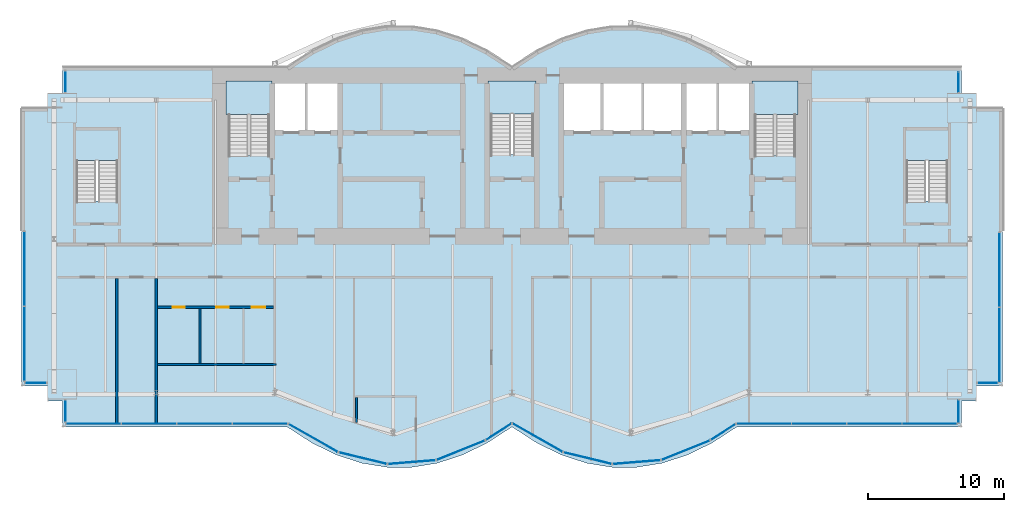
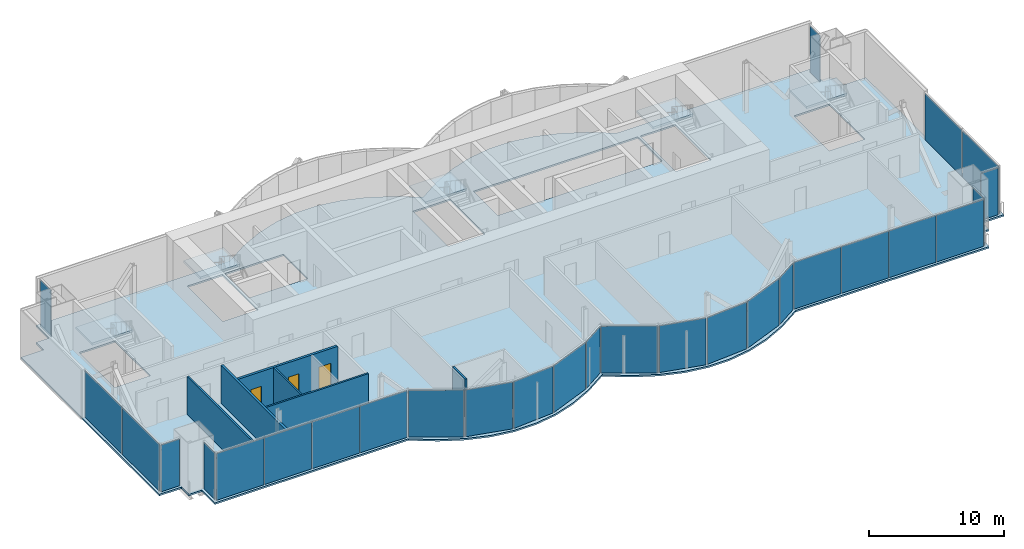
# One storey, part 11 of 18: 28 plates, 6 slabs, 6 walls, 3 doors, 3 openings, 17 elements without a shape of their own.
"""IFC4 building model written with IfcOpenShell, lengths in metres."""

import ifcopenshell
import ifcopenshell.guid

model = None  # the IFC model being written
_history = None  # IfcOwnerHistory: only IFC2X3 demands one
_inside = {}  # id of a spatial element -> (the spatial element, [elements in it])
_under = {}  # id of a project, library or spatial element -> (it, [spatial elements below it])
_declared = {}  # id of a project -> (the project, [libraries it declares])
_typed = {}  # id of a type object -> (the type object, [elements of that type])
_made_of = {}  # id of a material, layer set ... -> (it, [elements and type objects made of it])


def new_model(schema):
    """Start an empty IFC model of exactly this schema.

    Asked for "IFC4X3", IfcOpenShell would pick the latest addendum, in which some entities
    have other attributes; the version numbers below select the first issue.
    IFC2X3 requires an IfcOwnerHistory on every rooted entity: one is made here for all.
    """
    global model, _history
    if schema == "IFC4X3":
        model = ifcopenshell.file(schema_version=(4, 3, 0, 0))
    else:
        model = ifcopenshell.file(schema=schema)
    _inside.clear()
    _under.clear()
    _declared.clear()
    _typed.clear()
    _made_of.clear()
    _history = None
    if model.schema == "IFC2X3":
        org = make("IfcOrganization", Name="unknown")
        user = make(
            "IfcPersonAndOrganization",
            ThePerson=make("IfcPerson", FamilyName="unknown"),
            TheOrganization=org,
        )
        app = make(
            "IfcApplication",
            ApplicationDeveloper=org,
            Version="unknown",
            ApplicationFullName="unknown",
            ApplicationIdentifier="unknown",
        )
        _history = make(
            "IfcOwnerHistory",
            OwningUser=user,
            OwningApplication=app,
            ChangeAction="ADDED",
            CreationDate=0,
        )
    return model


def make(cls, **values):
    """One entity of the class cls with the attributes given. An attribute that is None is left unset."""
    return model.create_entity(
        cls, **{name: value for name, value in values.items() if value is not None}
    )


def rooted(cls, **values):
    """An entity with a GlobalId (a new one), such as an element, a storey or a relation."""
    return make(cls, GlobalId=ifcopenshell.guid.new(), OwnerHistory=_history, **values)


def si_unit(unit_type, name, prefix=None):
    """IfcSIUnit, for example si_unit("LENGTHUNIT", "METRE", prefix="MILLI")."""
    return make("IfcSIUnit", UnitType=unit_type, Prefix=prefix, Name=name)


def assignment(units):
    """IfcUnitAssignment: the units of a project."""
    return None if units is None else make("IfcUnitAssignment", Units=units)


def point(xyz):
    """IfcCartesianPoint."""
    return None if xyz is None else make("IfcCartesianPoint", Coordinates=xyz)


def direction(xyz):
    """IfcDirection."""
    return None if xyz is None else make("IfcDirection", DirectionRatios=xyz)


def frame(location, z_axis=None, x_axis=None):
    """IfcAxis2Placement3D, a coordinate frame: its origin and axes. An axis left out is left unset."""
    return make(
        "IfcAxis2Placement3D",
        Location=point(location),
        Axis=direction(z_axis),
        RefDirection=direction(x_axis),
    )


def frame_2d(location, x_axis=None):
    """IfcAxis2Placement2D, a coordinate frame in the plane: its origin and x axis."""
    return make(
        "IfcAxis2Placement2D", Location=point(location), RefDirection=direction(x_axis)
    )


def origin():
    """The frame at (0, 0, 0) with its axes left unset."""
    return frame((0.0, 0.0, 0.0))


def origin_2d():
    """The frame at (0, 0) in the plane with its x axis left unset."""
    return frame_2d((0.0, 0.0))


def place(relative_to, where):
    """IfcLocalPlacement: puts the frame where relative to a parent placement (None: the world)."""
    return make(
        "IfcLocalPlacement", PlacementRelTo=relative_to, RelativePlacement=where
    )


def context(
    kind, dimensions, precision=None, world=None, true_north=None, identifier=None
):
    """IfcGeometricRepresentationContext, for example the 3D "Model" context."""
    return make(
        "IfcGeometricRepresentationContext",
        ContextIdentifier=identifier,
        ContextType=kind,
        CoordinateSpaceDimension=dimensions,
        Precision=precision,
        WorldCoordinateSystem=world,
        TrueNorth=true_north,
    )


def subcontext(parent, identifier, kind, view, scale=None):
    """IfcGeometricRepresentationSubContext, for example "Body" below "Model"."""
    return make(
        "IfcGeometricRepresentationSubContext",
        ContextIdentifier=identifier,
        ContextType=kind,
        ParentContext=parent,
        TargetScale=scale,
        TargetView=view,
    )


def project(units=None, contexts=None):
    """IfcProject with its units and contexts."""
    return rooted(
        "IfcProject",
        Name="project",
        RepresentationContexts=contexts,
        UnitsInContext=assignment(units),
    )


def spatial(cls, under=None, at=None, **own):
    """A site, building, storey or space (cls), placed at a placement, below another one or the project."""
    s = rooted(cls, ObjectPlacement=at, **own)
    if under is not None:
        _under.setdefault(under.id(), (under, []))[1].append(s)
    return s


def polyline(points):
    """IfcPolyline through the points."""
    return make("IfcPolyline", Points=[point(p) for p in points])


def profile(cls, at=None, kind="AREA", **sizes):
    """A parametric profile (cls). Its sizes go by their IFC names, for example OverallWidth=200.0."""
    return make(cls, ProfileType=kind, Position=at, **sizes)


def rectangle(**sizes):
    """IfcRectangleProfileDef."""
    return profile("IfcRectangleProfileDef", **sizes)


def outline(outer, holes=None, kind="AREA"):
    """IfcArbitraryClosedProfileDef: a profile drawn as a closed curve; with holes, ...WithVoids."""
    if holes is None:
        return make("IfcArbitraryClosedProfileDef", ProfileType=kind, OuterCurve=outer)
    return make(
        "IfcArbitraryProfileDefWithVoids",
        ProfileType=kind,
        OuterCurve=outer,
        InnerCurves=holes,
    )


def extrude(swept, where, along, depth):
    """IfcExtrudedAreaSolid: the profile swept, set in the frame where, extruded along a direction by depth."""
    return make(
        "IfcExtrudedAreaSolid",
        SweptArea=swept,
        Position=where,
        ExtrudedDirection=direction(along),
        Depth=depth,
    )


def shape(context_of_items, identifier, shape_type, items):
    """IfcShapeRepresentation: the items that make up one representation, for example the "Body"."""
    return make(
        "IfcShapeRepresentation",
        ContextOfItems=context_of_items,
        RepresentationIdentifier=identifier,
        RepresentationType=shape_type,
        Items=items,
    )


def material(Name=None, Category=None):
    """IfcMaterial."""
    return make("IfcMaterial", Name=Name, Category=Category)


def layer(
    of_material, thickness, ventilated=None, Name=None, Category=None, Priority=None
):
    """IfcMaterialLayer: one layer of a wall or slab, of a material (None: an air gap)."""
    return make(
        "IfcMaterialLayer",
        Material=of_material,
        LayerThickness=thickness,
        IsVentilated=ventilated,
        Name=Name,
        Category=Category,
        Priority=Priority,
    )


def layer_set(layers, Name=None):
    """IfcMaterialLayerSet."""
    return make("IfcMaterialLayerSet", MaterialLayers=layers, LayerSetName=Name)


def made_of(thing, what):
    """Note that an element or type object is made of a material, layer set ...; save() writes the relation."""
    if what is not None:
        _made_of.setdefault(what.id(), (what, []))[1].append(thing)
    return thing


def type_object(cls, material=None, **own):
    """A type object (cls), such as IfcWallType, which elements share."""
    return made_of(rooted(cls, **own), material)


def element(
    cls,
    number,
    at=None,
    inside=None,
    cuts=None,
    type_object=None,
    material=None,
    context=None,
    identifier="Body",
    shape_type=None,
    held_by="IfcProductDefinitionShape",
    body=None,
    shapes=None,
    **own,
):
    """One element of the class cls, such as IfcWall. Its Tag is "e" and its number.

    at: its placement. inside: the storey or other place that contains it. cuts: it is an
    opening in that element (IfcRelVoidsElement). A single representation is given by context,
    identifier, shape_type and body (its items); several are given by shapes. held_by: the class
    of the entity that holds the representations. save() writes the other relations.
    """
    e = rooted(cls, Tag="e%d" % number, ObjectPlacement=at, **own)
    if body is not None:
        shapes = [shape(context, identifier, shape_type, body)]
    if shapes is not None:
        e.Representation = make(held_by, Representations=shapes)
    if inside is not None:
        _inside.setdefault(inside.id(), (inside, []))[1].append(e)
    if cuts is not None:
        rooted(
            "IfcRelVoidsElement", RelatingBuildingElement=cuts, RelatedOpeningElement=e
        )
    if type_object is not None:
        _typed.setdefault(type_object.id(), (type_object, []))[1].append(e)
    return made_of(e, material)


def fill(opening, filler):
    """IfcRelFillsElement: the door or window that sits in an opening."""
    return rooted(
        "IfcRelFillsElement",
        RelatingOpeningElement=opening,
        RelatedBuildingElement=filler,
    )


def aggregate(whole, parts):
    """IfcRelAggregates: a whole, such as a stair, and the parts it consists of."""
    return rooted("IfcRelAggregates", RelatingObject=whole, RelatedObjects=parts)


def save(model, path):
    """Write the relations noted so far, then the file.

    IfcRelAggregates (storeys below a building ...), IfcRelContainedInSpatialStructure (elements
    in a storey), IfcRelDefinesByType, IfcRelAssociatesMaterial and IfcRelDeclares: one each for
    every whole, place, type object, material and project.
    """
    for whole, parts in _under.values():
        aggregate(whole, parts)
    for where, things in _inside.values():
        rooted(
            "IfcRelContainedInSpatialStructure",
            RelatedElements=things,
            RelatingStructure=where,
        )
    for kind, things in _typed.values():
        rooted("IfcRelDefinesByType", RelatedObjects=things, RelatingType=kind)
    for what, things in _made_of.values():
        rooted("IfcRelAssociatesMaterial", RelatedObjects=things, RelatingMaterial=what)
    for by, libraries in _declared.values():
        rooted("IfcRelDeclares", RelatingContext=by, RelatedDefinitions=libraries)
    model.write(path)


model = new_model("IFC4")

# Units and contexts
model_context = context("Model", 3, precision=1e-05, world=origin(), true_north=direction((0.0, 1.0)))
body_context = subcontext(model_context, "Body", "Model", "MODEL_VIEW")
ifc_project = project(units=[si_unit("LENGTHUNIT", "METRE"), si_unit("AREAUNIT", "SQUARE_METRE"), si_unit("VOLUMEUNIT", "CUBIC_METRE"), si_unit("PLANEANGLEUNIT", "RADIAN"), si_unit("MASSUNIT", "GRAM", prefix="KILO")], contexts=[model_context])

# Site, building, storey
site_placement = place(None, origin())
site = spatial("IfcSite", under=ifc_project, at=site_placement, CompositionType="ELEMENT")
building_placement = place(site_placement, origin())
building = spatial("IfcBuilding", under=site, at=building_placement, Name="Bicima Exchange Tower", CompositionType="ELEMENT")
storey_placement = place(building_placement, frame((0.0, 0.0, 311.0)))
storey = spatial("IfcBuildingStorey", under=building, at=storey_placement, Name="L70", CompositionType="ELEMENT", Elevation=311.0)

# Slab
ifc_material_1 = material(Name="Concrete C40/50", Category="concrete")
ifc_layer_1 = layer(ifc_material_1, 0.14990234375)
ifc_layer_set_1 = layer_set([ifc_layer_1], Name="Concrete C40/50")
slab_type_1 = type_object("IfcSlabType", Name="Composite floor slab 150", PredefinedType="FLOOR", material=ifc_layer_set_1)
slab_1_placement = place(storey_placement, frame((0.0, 0.0, -0.14990234375)))
element("IfcSlab", 1, at=slab_1_placement, inside=storey, type_object=slab_type_1, Name="Floor slab", PredefinedType="FLOOR", context=body_context, shape_type="SweptSolid", body=[
    extrude(outline(polyline([(-36.0, -23.384033203125), (-36.0, -3.0), (-34.10009765625, -3.0), (-34.10009765625, -1.89990234375), (-33.0, -1.89990234375), (-33.0, 0.0), (-16.5, 0.0), (-14.666748046875, 1.185302734375), (-12.833251953125, 2.07421875), (-11.0, 2.666748046875), (-9.166748046875, 2.962890625), (-7.333251953125, 2.962890625), (-5.5, 2.666748046875), (-3.666748046875, 2.07421875), (-1.833251953125, 1.185302734375), (0.0, 0.0), (1.833251953125, 1.185302734375), (3.666748046875, 2.07421875), (5.5, 2.666748046875), (7.333251953125, 2.962890625), (9.166748046875, 2.962890625), (11.0, 2.666748046875), (12.833251953125, 2.07421875), (14.666748046875, 1.185302734375), (16.5, 0.0), (33.0, 0.0), (33.0, -1.89990234375), (34.10009765625, -1.89990234375), (34.10009765625, -3.0), (36.0, -3.0), (36.0, -23.384033203125), (34.10009765625, -23.384033203125), (34.10009765625, -24.48388671875), (33.0, -24.48388671875), (33.0, -26.384033203125), (16.5, -26.384033203125), (14.666748046875, -27.569091796875), (12.833251953125, -28.4580078125), (11.0, -29.05078125), (9.166748046875, -29.346923828125), (7.333251953125, -29.346923828125), (5.5, -29.05078125), (3.666748046875, -28.4580078125), (1.833251953125, -27.569091796875), (0.0, -26.384033203125), (-1.833251953125, -27.569091796875), (-3.666748046875, -28.4580078125), (-5.5, -29.05078125), (-7.333251953125, -29.346923828125), (-9.166748046875, -29.346923828125), (-11.0, -29.05078125), (-12.833251953125, -28.4580078125), (-14.666748046875, -27.569091796875), (-16.5, -26.384033203125), (-33.0, -26.384033203125), (-33.0, -24.48388671875), (-34.10009765625, -24.48388671875), (-34.10009765625, -23.384033203125), (-36.0, -23.384033203125)]), holes=[polyline([(-28.925048828125, -9.824951171875), (-28.925048828125, -4.625), (-31.97509765625, -4.625), (-31.97509765625, -9.824951171875), (-28.925048828125, -9.824951171875)]), polyline([(-20.800048828125, -6.449951171875), (-17.800048828125, -6.449951171875), (-17.800048828125, -1.199951171875), (-20.800048828125, -1.199951171875), (-20.800048828125, -6.449951171875)]), polyline([(-1.574951171875, -6.39990234375), (1.574951171875, -6.39990234375), (1.574951171875, -1.199951171875), (-1.574951171875, -1.199951171875), (-1.574951171875, -6.39990234375)]), polyline([(-12.60009765625, -1.199951171875), (-15.10009765625, -1.199951171875), (-17.60009765625, -1.199951171875), (-17.60009765625, -4.800048828125), (-15.10009765625, -4.800048828125), (-12.60009765625, -4.800048828125), (-12.60009765625, -1.199951171875)]), polyline([(3.60009765625, -4.800048828125), (6.60009765625, -4.800048828125), (9.60009765625, -4.800048828125), (12.60009765625, -4.800048828125), (15.10009765625, -4.800048828125), (17.60009765625, -4.800048828125), (17.60009765625, -1.199951171875), (15.10009765625, -1.199951171875), (12.60009765625, -1.199951171875), (9.60009765625, -1.199951171875), (6.60009765625, -1.199951171875), (3.60009765625, -1.199951171875), (3.60009765625, -4.800048828125)]), polyline([(31.97509765625, -9.824951171875), (31.97509765625, -4.625), (28.925048828125, -4.625), (28.925048828125, -9.824951171875), (31.97509765625, -9.824951171875)]), polyline([(17.800048828125, -6.449951171875), (20.800048828125, -6.449951171875), (20.800048828125, -1.199951171875), (17.800048828125, -1.199951171875), (17.800048828125, -6.449951171875)])]), origin(), (0.0, 0.0, 1.0), 0.14990234375),
])

# Curtain wall, plate
ifc_material_2 = material(Name="Anodised bronze aluminium", Category="aluminium")
curtain_wall_type_1 = type_object("IfcCurtainWallType", Name="End face glass wall", PredefinedType="NOTDEFINED", material=ifc_material_2)
curtain_wall_1_placement = place(storey_placement, origin())
curtain_wall_1 = element("IfcCurtainWall", 2, at=curtain_wall_1_placement, inside=storey, type_object=curtain_wall_type_1, Name="End face glass wall L70 run 2", PredefinedType="NOTDEFINED")
ifc_material_3 = material(Name="Bronze tinted glass", Category="glass")
ifc_layer_2 = layer(ifc_material_3, 0.031982421875)
ifc_layer_set_2 = layer_set([ifc_layer_2], Name="Bronze tinted glass")
plate_type_1 = type_object("IfcPlateType", Name="End face glass wall glass panel 32", PredefinedType="CURTAIN_PANEL", material=ifc_layer_set_2)
plate_1_placement = place(storey_placement, frame((-35.77001953125, -20.29052734375, 0.0), z_axis=(0.0, 0.0, 1.0), x_axis=(0.0, -1.0, 0.0)))
plate_1 = element("IfcPlate", 3, at=plate_1_placement, type_object=plate_type_1, Name="End face glass wall panel 2.1", PredefinedType="CURTAIN_PANEL", context=body_context, shape_type="SweptSolid", body=[
    extrude(rectangle(XDim=5.447021484375, YDim=0.031982421875, at=origin_2d()), origin(), (0.0, 0.0, 1.0), 4.2099609375),
])

curtain_wall_2_placement = place(storey_placement, origin())
curtain_wall_2 = element("IfcCurtainWall", 4, at=curtain_wall_2_placement, inside=storey, type_object=curtain_wall_type_1, Name="End face glass wall L70 run 19", PredefinedType="NOTDEFINED")
plate_2_placement = place(storey_placement, frame((35.77001953125, -20.37060546875, 0.0), z_axis=(0.0, 0.0, 1.0), x_axis=(0.0, 1.0, 0.0)))
plate_2 = element("IfcPlate", 5, at=plate_2_placement, type_object=plate_type_1, Name="End face glass wall panel 1.1", PredefinedType="CURTAIN_PANEL", context=body_context, shape_type="SweptSolid", body=[
    extrude(rectangle(XDim=5.447021484375, YDim=0.031982421875, at=origin_2d()), origin(), (0.0, 0.0, 1.0), 4.2099609375),
])

# Plate
ifc_material_4 = material(Name="Bronze anodised aluminium", Category="aluminium")
ifc_layer_3 = layer(ifc_material_4, 0.031982421875)
ifc_layer_set_3 = layer_set([ifc_layer_3], Name="Bronze anodised aluminium")
plate_type_2 = type_object("IfcPlateType", Name="End face glass wall spandrel panel 32", PredefinedType="CURTAIN_PANEL", material=ifc_layer_set_3)
plate_3_placement = place(storey_placement, frame((-35.77001953125, -14.783447265625, 0.0), z_axis=(0.0, 0.0, 1.0), x_axis=(0.0, -1.0, 0.0)))
plate_3 = element("IfcPlate", 6, at=plate_3_placement, type_object=plate_type_2, Name="End face spandrel wall panel 1.1", PredefinedType="CURTAIN_PANEL", context=body_context, shape_type="SweptSolid", body=[
    extrude(rectangle(XDim=5.447021484375, YDim=0.031982421875, at=origin_2d()), origin(), (0.0, 0.0, 1.0), 4.2099609375),
])

aggregate(curtain_wall_1, [plate_3, plate_1])

plate_4_placement = place(storey_placement, frame((35.77001953125, -14.863525390625, 0.0), z_axis=(0.0, 0.0, 1.0), x_axis=(0.0, 1.0, 0.0)))
plate_4 = element("IfcPlate", 7, at=plate_4_placement, type_object=plate_type_2, Name="End face spandrel wall panel 2.1", PredefinedType="CURTAIN_PANEL", context=body_context, shape_type="SweptSolid", body=[
    extrude(rectangle(XDim=5.447021484375, YDim=0.031982421875, at=origin_2d()), origin(), (0.0, 0.0, 1.0), 4.2099609375),
])

aggregate(curtain_wall_2, [plate_2, plate_4])

# Curtain wall, plate
curtain_wall_type_2 = type_object("IfcCurtainWallType", Name="Front glass wall", PredefinedType="NOTDEFINED", material=ifc_material_2)
curtain_wall_3_placement = place(storey_placement, origin())
curtain_wall_3 = element("IfcCurtainWall", 8, at=curtain_wall_3_placement, inside=storey, type_object=curtain_wall_type_2, Name="Front glass wall L70 run 1", PredefinedType="NOTDEFINED")
ifc_layer_4 = layer(ifc_material_3, 0.031982421875)
ifc_layer_set_4 = layer_set([ifc_layer_4], Name="Bronze tinted glass")
plate_type_3 = type_object("IfcPlateType", Name="Front glass wall glass panel 32", PredefinedType="CURTAIN_PANEL", material=ifc_layer_set_4)
plate_5_placement = place(storey_placement, frame((-32.77001953125, -1.06494140625, 0.0), z_axis=(0.0, 0.0, 1.0), x_axis=(0.0, -1.0, 0.0)))
plate_5 = element("IfcPlate", 9, at=plate_5_placement, type_object=plate_type_3, Name="Front glass wall panel 1.1", PredefinedType="CURTAIN_PANEL", context=body_context, shape_type="SweptSolid", body=[
    extrude(rectangle(XDim=1.550048828125, YDim=0.031982421875, at=origin_2d()), origin(), (0.0, 0.0, 1.0), 4.2099609375),
])
aggregate(curtain_wall_3, [plate_5])

curtain_wall_4_placement = place(storey_placement, origin())
curtain_wall_4 = element("IfcCurtainWall", 10, at=curtain_wall_4_placement, inside=storey, type_object=curtain_wall_type_2, Name="Front glass wall L70 run 3", PredefinedType="NOTDEFINED")
plate_6_placement = place(storey_placement, frame((-34.93505859375, -23.154052734375, 0.0), z_axis=(0.0, 0.0, 1.0), x_axis=(1.0, 0.0, 0.0)))
plate_6 = element("IfcPlate", 11, at=plate_6_placement, type_object=plate_type_3, Name="Front glass wall panel 1.1", PredefinedType="CURTAIN_PANEL", context=body_context, shape_type="SweptSolid", body=[
    extrude(rectangle(XDim=1.550048828125, YDim=0.031982421875, at=origin_2d()), origin(), (0.0, 0.0, 1.0), 4.2099609375),
])
aggregate(curtain_wall_4, [plate_6])

curtain_wall_5_placement = place(storey_placement, origin())
curtain_wall_5 = element("IfcCurtainWall", 12, at=curtain_wall_5_placement, inside=storey, type_object=curtain_wall_type_2, Name="Front glass wall L70 run 4", PredefinedType="NOTDEFINED")
plate_7_placement = place(storey_placement, frame((-32.77001953125, -25.218017578125, 0.0), z_axis=(0.0, 0.0, 1.0), x_axis=(0.0, -1.0, 0.0)))
plate_7 = element("IfcPlate", 13, at=plate_7_placement, type_object=plate_type_3, Name="Front glass wall panel 1.1", PredefinedType="CURTAIN_PANEL", context=body_context, shape_type="SweptSolid", body=[
    extrude(rectangle(XDim=1.592041015625, YDim=0.031982421875, at=origin_2d()), origin(), (0.0, 0.0, 1.0), 4.2099609375),
])
aggregate(curtain_wall_5, [plate_7])

# Curtain wall, plates
curtain_wall_6_placement = place(storey_placement, origin())
curtain_wall_6 = element("IfcCurtainWall", 14, at=curtain_wall_6_placement, inside=storey, type_object=curtain_wall_type_2, Name="Front glass wall L70 run 5", PredefinedType="NOTDEFINED")
plate_8_placement = place(storey_placement, frame((-30.705322265625, -26.154052734375, 0.0), z_axis=(0.0, 0.0, 1.0), x_axis=(1.0, 0.0, 0.0)))
plate_8 = element("IfcPlate", 15, at=plate_8_placement, type_object=plate_type_3, Name="Front glass wall panel 1.1", PredefinedType="CURTAIN_PANEL", context=body_context, shape_type="SweptSolid", body=[
    extrude(rectangle(XDim=4.009521484375, YDim=0.031982421875, at=origin_2d()), origin(), (0.0, 0.0, 1.0), 4.2099609375),
])
plate_9_placement = place(storey_placement, frame((-26.6357421875, -26.154052734375, 0.0), z_axis=(0.0, 0.0, 1.0), x_axis=(1.0, 0.0, 0.0)))
plate_9 = element("IfcPlate", 16, at=plate_9_placement, type_object=plate_type_3, Name="Front glass wall panel 2.1", PredefinedType="CURTAIN_PANEL", context=body_context, shape_type="SweptSolid", body=[
    extrude(rectangle(XDim=4.009521484375, YDim=0.031982421875, at=origin_2d()), origin(), (0.0, 0.0, 1.0), 4.2099609375),
])
plate_10_placement = place(storey_placement, frame((-18.496826171875, -26.154052734375, 0.0), z_axis=(0.0, 0.0, 1.0), x_axis=(1.0, 0.0, 0.0)))
plate_10 = element("IfcPlate", 17, at=plate_10_placement, type_object=plate_type_3, Name="Front glass wall panel 4.1", PredefinedType="CURTAIN_PANEL", context=body_context, shape_type="SweptSolid", body=[
    extrude(rectangle(XDim=4.009521484375, YDim=0.031982421875, at=origin_2d()), origin(), (0.0, 0.0, 1.0), 4.2099609375),
])

curtain_wall_7_placement = place(storey_placement, origin())
curtain_wall_7 = element("IfcCurtainWall", 18, at=curtain_wall_7_placement, inside=storey, type_object=curtain_wall_type_2, Name="Front glass wall L70 run 6", PredefinedType="NOTDEFINED")
plate_11_placement = place(storey_placement, frame((-7.35107421875, -28.9716796875, 0.0), z_axis=(0.0, 0.0, 1.0), x_axis=(0.99674744821, 0.080588612633, 0.0)))
plate_11 = element("IfcPlate", 19, at=plate_11_placement, type_object=plate_type_3, Name="Front glass wall panel 1.1", PredefinedType="CURTAIN_PANEL", context=body_context, shape_type="SweptSolid", body=[
    extrude(rectangle(XDim=3.486083984375, YDim=0.031982421875, at=origin_2d()), origin(), (0.0, 0.0, 1.0), 4.2099609375),
])
plate_12_placement = place(storey_placement, frame((-3.750244140625, -28.097412109375, 0.0), z_axis=(0.0, 0.0, 1.0), x_axis=(0.92714396679, 0.374705304, 0.0)))
plate_12 = element("IfcPlate", 20, at=plate_12_placement, type_object=plate_type_3, Name="Front glass wall panel 1.1", PredefinedType="CURTAIN_PANEL", context=body_context, shape_type="SweptSolid", body=[
    extrude(rectangle(XDim=3.771240234375, YDim=0.031982421875, at=origin_2d()), origin(), (0.0, 0.0, 1.0), 4.2099609375),
])
plate_13_placement = place(storey_placement, frame((-0.97314453125, -26.7392578125, 0.0), z_axis=(0.0, 0.0, 1.0), x_axis=(0.839798994301, 0.542897457326, 0.0)))
plate_13 = element("IfcPlate", 21, at=plate_13_placement, type_object=plate_type_3, Name="Front glass wall panel 1.1", PredefinedType="CURTAIN_PANEL", context=body_context, shape_type="SweptSolid", body=[
    extrude(rectangle(XDim=2.197509765625, YDim=0.031982421875, at=origin_2d()), origin(), (0.0, 0.0, 1.0), 4.2099609375),
])

curtain_wall_8_placement = place(storey_placement, origin())
curtain_wall_8 = element("IfcCurtainWall", 22, at=curtain_wall_8_placement, inside=storey, type_object=curtain_wall_type_2, Name="Front glass wall L70 run 11", PredefinedType="NOTDEFINED")
plate_14_placement = place(storey_placement, frame((1.876220703125, -27.17724609375, 0.0), z_axis=(0.0, 0.0, 1.0), x_axis=(0.869274147378, -0.494330311331, 0.0)))
plate_14 = element("IfcPlate", 23, at=plate_14_placement, type_object=plate_type_3, Name="Front glass wall panel 1.1", PredefinedType="CURTAIN_PANEL", context=body_context, shape_type="SweptSolid", body=[
    extrude(rectangle(XDim=4.197021484375, YDim=0.031982421875, at=origin_2d()), origin(), (0.0, 0.0, 1.0), 4.2099609375),
])
plate_15_placement = place(storey_placement, frame((5.55224609375, -28.6806640625, 0.0), z_axis=(0.0, 0.0, 1.0), x_axis=(0.971830343553, -0.235681529503, 0.0)))
plate_15 = element("IfcPlate", 24, at=plate_15_placement, type_object=plate_type_3, Name="Front glass wall panel 1.1", PredefinedType="CURTAIN_PANEL", context=body_context, shape_type="SweptSolid", body=[
    extrude(rectangle(XDim=3.583251953125, YDim=0.031982421875, at=origin_2d()), origin(), (0.0, 0.0, 1.0), 4.2099609375),
])
plate_16_placement = place(storey_placement, frame((9.14892578125, -28.9716796875, 0.0), z_axis=(0.0, 0.0, 1.0), x_axis=(0.99674744821, 0.080588612633, 0.0)))
plate_16 = element("IfcPlate", 25, at=plate_16_placement, type_object=plate_type_3, Name="Front glass wall panel 1.1", PredefinedType="CURTAIN_PANEL", context=body_context, shape_type="SweptSolid", body=[
    extrude(rectangle(XDim=3.486083984375, YDim=0.031982421875, at=origin_2d()), origin(), (0.0, 0.0, 1.0), 4.2099609375),
])
plate_17_placement = place(storey_placement, frame((15.492919921875, -26.76123046875, 0.0), z_axis=(0.0, 0.0, 1.0), x_axis=(0.839791413941, 0.542909183079, 0.0)))
plate_17 = element("IfcPlate", 26, at=plate_17_placement, type_object=plate_type_3, Name="Front glass wall panel 1.1", PredefinedType="CURTAIN_PANEL", context=body_context, shape_type="SweptSolid", body=[
    extrude(rectangle(XDim=2.11669921875, YDim=0.031982421875, at=origin_2d()), origin(), (0.0, 0.0, 1.0), 4.2099609375),
])

curtain_wall_9_placement = place(storey_placement, origin())
curtain_wall_9 = element("IfcCurtainWall", 27, at=curtain_wall_9_placement, inside=storey, type_object=curtain_wall_type_2, Name="Front glass wall L70 run 16", PredefinedType="NOTDEFINED")
plate_18_placement = place(storey_placement, frame((18.48681640625, -26.154052734375, 0.0), z_axis=(0.0, 0.0, 1.0), x_axis=(1.0, 0.0, 0.0)))
plate_18 = element("IfcPlate", 28, at=plate_18_placement, type_object=plate_type_3, Name="Front glass wall panel 1.1", PredefinedType="CURTAIN_PANEL", context=body_context, shape_type="SweptSolid", body=[
    extrude(rectangle(XDim=3.989501953125, YDim=0.031982421875, at=origin_2d()), origin(), (0.0, 0.0, 1.0), 4.2099609375),
])
plate_19_placement = place(storey_placement, frame((26.585693359375, -26.154052734375, 0.0), z_axis=(0.0, 0.0, 1.0), x_axis=(1.0, 0.0, 0.0)))
plate_19 = element("IfcPlate", 29, at=plate_19_placement, type_object=plate_type_3, Name="Front glass wall panel 3.1", PredefinedType="CURTAIN_PANEL", context=body_context, shape_type="SweptSolid", body=[
    extrude(rectangle(XDim=3.989501953125, YDim=0.031982421875, at=origin_2d()), origin(), (0.0, 0.0, 1.0), 4.2099609375),
])
plate_20_placement = place(storey_placement, frame((30.63525390625, -26.154052734375, 0.0), z_axis=(0.0, 0.0, 1.0), x_axis=(1.0, 0.0, 0.0)))
plate_20 = element("IfcPlate", 30, at=plate_20_placement, type_object=plate_type_3, Name="Front glass wall panel 4.1", PredefinedType="CURTAIN_PANEL", context=body_context, shape_type="SweptSolid", body=[
    extrude(rectangle(XDim=3.989501953125, YDim=0.031982421875, at=origin_2d()), origin(), (0.0, 0.0, 1.0), 4.2099609375),
])

# Curtain wall, plate
curtain_wall_10_placement = place(storey_placement, origin())
curtain_wall_10 = element("IfcCurtainWall", 31, at=curtain_wall_10_placement, inside=storey, type_object=curtain_wall_type_2, Name="Front glass wall L70 run 17", PredefinedType="NOTDEFINED")
plate_21_placement = place(storey_placement, frame((32.77001953125, -25.258056640625, 0.0), z_axis=(0.0, 0.0, 1.0), x_axis=(0.0, 1.0, 0.0)))
plate_21 = element("IfcPlate", 32, at=plate_21_placement, type_object=plate_type_3, Name="Front glass wall panel 1.1", PredefinedType="CURTAIN_PANEL", context=body_context, shape_type="SweptSolid", body=[
    extrude(rectangle(XDim=1.672119140625, YDim=0.031982421875, at=origin_2d()), origin(), (0.0, 0.0, 1.0), 4.2099609375),
])
aggregate(curtain_wall_10, [plate_21])

curtain_wall_11_placement = place(storey_placement, origin())
curtain_wall_11 = element("IfcCurtainWall", 33, at=curtain_wall_11_placement, inside=storey, type_object=curtain_wall_type_2, Name="Front glass wall L70 run 18", PredefinedType="NOTDEFINED")
plate_22_placement = place(storey_placement, frame((34.89501953125, -23.154052734375, 0.0), z_axis=(0.0, 0.0, 1.0), x_axis=(1.0, 0.0, 0.0)))
plate_22 = element("IfcPlate", 34, at=plate_22_placement, type_object=plate_type_3, Name="Front glass wall panel 1.1", PredefinedType="CURTAIN_PANEL", context=body_context, shape_type="SweptSolid", body=[
    extrude(rectangle(XDim=1.469970703125, YDim=0.031982421875, at=origin_2d()), origin(), (0.0, 0.0, 1.0), 4.2099609375),
])
aggregate(curtain_wall_11, [plate_22])

curtain_wall_12_placement = place(storey_placement, origin())
curtain_wall_12 = element("IfcCurtainWall", 35, at=curtain_wall_12_placement, inside=storey, type_object=curtain_wall_type_2, Name="Front glass wall L70 run 20", PredefinedType="NOTDEFINED")
plate_23_placement = place(storey_placement, frame((32.77001953125, -1.10498046875, 0.0), z_axis=(0.0, 0.0, 1.0), x_axis=(0.0, 1.0, 0.0)))
plate_23 = element("IfcPlate", 36, at=plate_23_placement, type_object=plate_type_3, Name="Front glass wall panel 1.1", PredefinedType="CURTAIN_PANEL", context=body_context, shape_type="SweptSolid", body=[
    extrude(rectangle(XDim=1.469970703125, YDim=0.031982421875, at=origin_2d()), origin(), (0.0, 0.0, 1.0), 4.2099609375),
])
aggregate(curtain_wall_12, [plate_23])

# Plate
ifc_layer_5 = layer(ifc_material_4, 0.031982421875)
ifc_layer_set_5 = layer_set([ifc_layer_5], Name="Bronze anodised aluminium")
plate_type_4 = type_object("IfcPlateType", Name="Front glass wall spandrel panel 32", PredefinedType="CURTAIN_PANEL", material=ifc_layer_set_5)
plate_24_placement = place(storey_placement, frame((-22.56640625, -26.154052734375, 0.0), z_axis=(0.0, 0.0, 1.0), x_axis=(1.0, 0.0, 0.0)))
plate_24 = element("IfcPlate", 37, at=plate_24_placement, type_object=plate_type_4, Name="Front spandrel wall panel 3.1", PredefinedType="CURTAIN_PANEL", context=body_context, shape_type="SweptSolid", body=[
    extrude(rectangle(XDim=4.009521484375, YDim=0.031982421875, at=origin_2d()), origin(), (0.0, 0.0, 1.0), 4.2099609375),
])

aggregate(curtain_wall_6, [plate_8, plate_9, plate_24, plate_10])

plate_25_placement = place(storey_placement, frame((-14.589599609375, -27.19921875, 0.0), z_axis=(0.0, 0.0, 1.0), x_axis=(0.869805110681, -0.493395449343, 0.0)))
plate_25 = element("IfcPlate", 38, at=plate_25_placement, type_object=plate_type_4, Name="Front spandrel wall panel 1.1", PredefinedType="CURTAIN_PANEL", context=body_context, shape_type="SweptSolid", body=[
    extrude(rectangle(XDim=4.1162109375, YDim=0.031982421875, at=origin_2d()), origin(), (0.0, 0.0, 1.0), 4.2099609375),
])

plate_26_placement = place(storey_placement, frame((-10.94775390625, -28.6806640625, 0.0), z_axis=(0.0, 0.0, 1.0), x_axis=(0.971830343553, -0.235681529503, 0.0)))
plate_26 = element("IfcPlate", 39, at=plate_26_placement, type_object=plate_type_4, Name="Front spandrel wall panel 1.1", PredefinedType="CURTAIN_PANEL", context=body_context, shape_type="SweptSolid", body=[
    extrude(rectangle(XDim=3.583251953125, YDim=0.031982421875, at=origin_2d()), origin(), (0.0, 0.0, 1.0), 4.2099609375),
])

aggregate(curtain_wall_7, [plate_25, plate_26, plate_11, plate_12, plate_13])

plate_27_placement = place(storey_placement, frame((12.749755859375, -28.097412109375, 0.0), z_axis=(0.0, 0.0, 1.0), x_axis=(0.92714396679, 0.374705304, 0.0)))
plate_27 = element("IfcPlate", 40, at=plate_27_placement, type_object=plate_type_4, Name="Front spandrel wall panel 1.1", PredefinedType="CURTAIN_PANEL", context=body_context, shape_type="SweptSolid", body=[
    extrude(rectangle(XDim=3.771240234375, YDim=0.031982421875, at=origin_2d()), origin(), (0.0, 0.0, 1.0), 4.2099609375),
])

aggregate(curtain_wall_8, [plate_14, plate_15, plate_16, plate_27, plate_17])

plate_28_placement = place(storey_placement, frame((22.536376953125, -26.154052734375, 0.0), z_axis=(0.0, 0.0, 1.0), x_axis=(1.0, 0.0, 0.0)))
plate_28 = element("IfcPlate", 41, at=plate_28_placement, type_object=plate_type_4, Name="Front spandrel wall panel 2.1", PredefinedType="CURTAIN_PANEL", context=body_context, shape_type="SweptSolid", body=[
    extrude(rectangle(XDim=3.989501953125, YDim=0.031982421875, at=origin_2d()), origin(), (0.0, 0.0, 1.0), 4.2099609375),
])

aggregate(curtain_wall_9, [plate_18, plate_28, plate_19, plate_20])

# Stair, slab
ifc_material_5 = material(Name="Concrete C50/60", Category="concrete")
stair_type_1 = type_object("IfcStairType", Name="Exit stair", PredefinedType="HALF_TURN_STAIR", material=ifc_material_5)
stair_1_placement = place(storey_placement, origin())
stair_1 = element("IfcStair", 42, at=stair_1_placement, inside=storey, type_object=stair_type_1, Name="L70 West exit stair", PredefinedType="HALF_TURN_STAIR")
ifc_layer_6 = layer(ifc_material_5, 0.199951171875)
ifc_layer_set_6 = layer_set([ifc_layer_6], Name="Concrete C50/60")
slab_type_2 = type_object("IfcSlabType", Name="Stair landing slab", PredefinedType="LANDING", material=ifc_layer_set_6)
slab_2_placement = place(storey_placement, frame((0.0, 0.0, 2.050048828125)))
slab_2 = element("IfcSlab", 43, at=slab_2_placement, type_object=slab_type_2, Name="ST-W landing 1", PredefinedType="LANDING", context=body_context, shape_type="SweptSolid", body=[
    extrude(outline(polyline([(-17.60009765625, -3.469970703125), (-17.60009765625, -1.0), (-21.0, -1.0), (-21.0, -3.469970703125), (-17.60009765625, -3.469970703125)])), origin(), (0.0, 0.0, 1.0), 0.199951171875),
])
aggregate(stair_1, [slab_2])

stair_type_2 = type_object("IfcStairType", Name="Exit stair 1500", PredefinedType="HALF_TURN_STAIR", material=ifc_material_5)
stair_2_placement = place(storey_placement, origin())
stair_2 = element("IfcStair", 44, at=stair_2_placement, inside=storey, type_object=stair_type_2, Name="L70 Central exit stair", PredefinedType="HALF_TURN_STAIR")
slab_3_placement = place(storey_placement, frame((0.0, 0.0, 2.050048828125)))
slab_3 = element("IfcSlab", 45, at=slab_3_placement, type_object=slab_type_2, Name="ST-C landing 1", PredefinedType="LANDING", context=body_context, shape_type="SweptSolid", body=[
    extrude(outline(polyline([(1.77490234375, -3.419921875), (1.77490234375, -1.0), (-1.77490234375, -1.0), (-1.77490234375, -3.419921875), (1.77490234375, -3.419921875)])), origin(), (0.0, 0.0, 1.0), 0.199951171875),
])
aggregate(stair_2, [slab_3])

stair_3_placement = place(storey_placement, origin())
stair_3 = element("IfcStair", 46, at=stair_3_placement, inside=storey, type_object=stair_type_1, Name="L70 East exit stair", PredefinedType="HALF_TURN_STAIR")
slab_4_placement = place(storey_placement, frame((0.0, 0.0, 2.050048828125)))
slab_4 = element("IfcSlab", 47, at=slab_4_placement, type_object=slab_type_2, Name="ST-E landing 1", PredefinedType="LANDING", context=body_context, shape_type="SweptSolid", body=[
    extrude(outline(polyline([(21.0, -3.469970703125), (21.0, -1.0), (17.60009765625, -1.0), (17.60009765625, -3.469970703125), (21.0, -3.469970703125)])), origin(), (0.0, 0.0, 1.0), 0.199951171875),
])
aggregate(stair_3, [slab_4])

stair_4_placement = place(storey_placement, origin())
stair_4 = element("IfcStair", 48, at=stair_4_placement, inside=storey, type_object=stair_type_1, Name="L70 West end exit stair", PredefinedType="HALF_TURN_STAIR")
slab_5_placement = place(storey_placement, frame((0.0, 0.0, 2.050048828125)))
slab_5 = element("IfcSlab", 49, at=slab_5_placement, type_object=slab_type_2, Name="ST-WW landing 1", PredefinedType="LANDING", context=body_context, shape_type="SweptSolid", body=[
    extrude(outline(polyline([(-28.72509765625, -6.844970703125), (-28.72509765625, -4.425048828125), (-32.175048828125, -4.425048828125), (-32.175048828125, -6.844970703125), (-28.72509765625, -6.844970703125)])), origin(), (0.0, 0.0, 1.0), 0.199951171875),
])
aggregate(stair_4, [slab_5])

stair_5_placement = place(storey_placement, origin())
stair_5 = element("IfcStair", 50, at=stair_5_placement, inside=storey, type_object=stair_type_1, Name="L70 East end exit stair", PredefinedType="HALF_TURN_STAIR")
slab_6_placement = place(storey_placement, frame((0.0, 0.0, 2.050048828125)))
slab_6 = element("IfcSlab", 51, at=slab_6_placement, type_object=slab_type_2, Name="ST-EE landing 1", PredefinedType="LANDING", context=body_context, shape_type="SweptSolid", body=[
    extrude(outline(polyline([(32.175048828125, -6.844970703125), (32.175048828125, -4.425048828125), (28.72509765625, -4.425048828125), (28.72509765625, -6.844970703125), (32.175048828125, -6.844970703125)])), origin(), (0.0, 0.0, 1.0), 0.199951171875),
])
aggregate(stair_5, [slab_6])

# Wall, openings, doors
ifc_material_6 = material(Name="Gypsum board partition")
ifc_layer_7 = layer(ifc_material_6, 0.199951171875)
ifc_layer_set_7 = layer_set([ifc_layer_7], Name="Gypsum board partition")
wall_type_1 = type_object("IfcWallType", Name="Fire-rated gypsum partition 200 EI60", PredefinedType="PARTITIONING", material=ifc_layer_set_7)
wall_1_placement = place(storey_placement, frame((-26.0, -17.60009765625, 0.0), z_axis=(0.0, 0.0, 1.0), x_axis=(1.0, 0.0, 0.0)))
wall_1 = element("IfcWall", 52, at=wall_1_placement, inside=storey, type_object=wall_type_1, Name="partition wall 3", PredefinedType="PARTITIONING", context=body_context, shape_type="SweptSolid", body=[
    extrude(rectangle(XDim=8.5, YDim=0.199951171875, at=frame_2d((4.25, 0.0))), origin(), (0.0, 0.0, 1.0), 3.418212890625),
])
opening_1_placement = place(wall_1_placement, frame((1.10009765625, 0.0, 0.0)))
opening_1 = element("IfcOpeningElement", 53, at=opening_1_placement, cuts=wall_1, Name="Opening L70-010", PredefinedType="OPENING", context=body_context, shape_type="SweptSolid", body=[
    extrude(rectangle(XDim=0.89990234375, YDim=2.10009765625, at=frame_2d((0.449951171875, 1.050048828125))), frame((0.0, 0.11181640625, 0.0), z_axis=(0.0, -1.0, 0.0), x_axis=(1.0, 0.0, 0.0)), (0.0, 0.0, 1.0), 0.223876953125),
])
opening_2_placement = place(wall_1_placement, frame((4.300048828125, 0.0, 0.0)))
opening_2 = element("IfcOpeningElement", 54, at=opening_2_placement, cuts=wall_1, Name="Opening L70-011", PredefinedType="OPENING", context=body_context, shape_type="SweptSolid", body=[
    extrude(rectangle(XDim=0.89990234375, YDim=2.10009765625, at=frame_2d((0.449951171875, 1.050048828125))), frame((0.0, 0.11181640625, 0.0), z_axis=(0.0, -1.0, 0.0), x_axis=(1.0, 0.0, 0.0)), (0.0, 0.0, 1.0), 0.223876953125),
])
opening_3_placement = place(wall_1_placement, frame((6.89990234375, 0.0, 0.0)))
opening_3 = element("IfcOpeningElement", 55, at=opening_3_placement, cuts=wall_1, Name="Opening L70-012", PredefinedType="OPENING", context=body_context, shape_type="SweptSolid", body=[
    extrude(rectangle(XDim=1.0, YDim=2.10009765625, at=frame_2d((0.5, 1.050048828125))), frame((0.0, 0.11181640625, 0.0), z_axis=(0.0, -1.0, 0.0), x_axis=(1.0, 0.0, 0.0)), (0.0, 0.0, 1.0), 0.223876953125),
])
ifc_material_7 = material(Name="Steel fire door leaf", Category="steel")
door_type_1 = type_object("IfcDoorType", Name="Door 1000 swing FD30S", OperationType="SINGLE_SWING_LEFT", PredefinedType="DOOR", material=ifc_material_7)
door_1_placement = place(opening_3_placement, frame((1.0, 0.0, 0.0), z_axis=(0.0, 0.0, 1.0), x_axis=(-1.0, 0.0, 0.0)))
door_1 = element("IfcDoor", 56, at=door_1_placement, inside=storey, type_object=door_type_1, Name="Door", OperationType="SINGLE_SWING_RIGHT", OverallHeight=2.10009765625, OverallWidth=1.0, PredefinedType="DOOR", context=body_context, shape_type="SweptSolid", body=[
    extrude(rectangle(XDim=1.0, YDim=2.10009765625, at=frame_2d((0.5, 1.050048828125))), frame((0.0, 0.02490234375, 0.0), z_axis=(0.0, -1.0, 0.0), x_axis=(1.0, 0.0, 0.0)), (0.0, 0.0, 1.0), 0.050048828125),
])
fill(opening_3, door_1)
door_type_2 = type_object("IfcDoorType", Name="Door 900 swing FD30S", OperationType="SINGLE_SWING_LEFT", PredefinedType="DOOR", material=ifc_material_7)
door_2_placement = place(opening_1_placement, frame((0.89990234375, 0.0, 0.0), z_axis=(0.0, 0.0, 1.0), x_axis=(-1.0, 0.0, 0.0)))
door_2 = element("IfcDoor", 57, at=door_2_placement, inside=storey, type_object=door_type_2, Name="Door", OperationType="SINGLE_SWING_LEFT", OverallHeight=2.10009765625, OverallWidth=0.89990234375, PredefinedType="DOOR", context=body_context, shape_type="SweptSolid", body=[
    extrude(rectangle(XDim=0.89990234375, YDim=2.10009765625, at=frame_2d((0.449951171875, 1.050048828125))), frame((0.0, 0.02490234375, 0.0), z_axis=(0.0, -1.0, 0.0), x_axis=(1.0, 0.0, 0.0)), (0.0, 0.0, 1.0), 0.050048828125),
])
fill(opening_1, door_2)
door_3_placement = place(opening_2_placement, frame((0.89990234375, 0.0, 0.0), z_axis=(0.0, 0.0, 1.0), x_axis=(-1.0, 0.0, 0.0)))
door_3 = element("IfcDoor", 58, at=door_3_placement, inside=storey, type_object=door_type_2, Name="Door", OperationType="SINGLE_SWING_RIGHT", OverallHeight=2.10009765625, OverallWidth=0.89990234375, PredefinedType="DOOR", context=body_context, shape_type="SweptSolid", body=[
    extrude(rectangle(XDim=0.89990234375, YDim=2.10009765625, at=frame_2d((0.449951171875, 1.050048828125))), frame((0.0, 0.02490234375, 0.0), z_axis=(0.0, -1.0, 0.0), x_axis=(1.0, 0.0, 0.0)), (0.0, 0.0, 1.0), 0.050048828125),
])
fill(opening_2, door_3)

# Walls
wall_2_placement = place(storey_placement, frame((-26.10009765625, -26.169921875, 0.0), z_axis=(0.0, 0.0, 1.0), x_axis=(0.0, 1.0, 0.0)))
element("IfcWall", 59, at=wall_2_placement, inside=storey, type_object=wall_type_1, Name="partition wall 15", PredefinedType="PARTITIONING", context=body_context, shape_type="SweptSolid", body=[
    extrude(rectangle(XDim=10.669921875, YDim=0.199951171875, at=frame_2d((5.3349609375, 0.0))), origin(), (0.0, 0.0, 1.0), 3.418212890625),
])
ifc_layer_8 = layer(ifc_material_6, 0.14990234375)
ifc_layer_set_8 = layer_set([ifc_layer_8], Name="Gypsum board partition")
wall_type_2 = type_object("IfcWallType", Name="Gypsum partition 150", PredefinedType="PARTITIONING", material=ifc_layer_set_8)
wall_3_placement = place(storey_placement, frame((-26.0, -21.800048828125, 0.0), z_axis=(0.0, 0.0, 1.0), x_axis=(1.0, 0.0, 0.0)))
element("IfcWall", 60, at=wall_3_placement, inside=storey, type_object=wall_type_2, Name="partition wall 2", PredefinedType="PARTITIONING", context=body_context, shape_type="SweptSolid", body=[
    extrude(rectangle(XDim=8.699951171875, YDim=0.14990234375, at=frame_2d((4.35009765625, 0.0))), origin(), (0.0, 0.0, 1.0), 3.418212890625),
])
wall_4_placement = place(storey_placement, frame((-29.0, -26.169921875, 0.0), z_axis=(0.0, 0.0, 1.0), x_axis=(0.0, 1.0, 0.0)))
element("IfcWall", 61, at=wall_4_placement, inside=storey, type_object=wall_type_2, Name="partition wall 13", PredefinedType="PARTITIONING", context=body_context, shape_type="SweptSolid", body=[
    extrude(rectangle(XDim=10.669921875, YDim=0.14990234375, at=frame_2d((5.3349609375, 0.0))), origin(), (0.0, 0.0, 1.0), 3.418212890625),
])
wall_5_placement = place(storey_placement, frame((-22.89990234375, -21.72509765625, 0.0), z_axis=(0.0, 0.0, 1.0), x_axis=(0.0, 1.0, 0.0)))
element("IfcWall", 62, at=wall_5_placement, inside=storey, type_object=wall_type_2, Name="partition wall 16", PredefinedType="PARTITIONING", context=body_context, shape_type="SweptSolid", body=[
    extrude(rectangle(XDim=4.025146484375, YDim=0.14990234375, at=frame_2d((2.0126953125, 0.0))), origin(), (0.0, 0.0, 1.0), 3.418212890625),
])
wall_6_placement = place(storey_placement, frame((-11.39990234375, -26.070556640625, 0.0), z_axis=(0.0, 0.0, 1.0), x_axis=(0.0, 1.0, 0.0)))
element("IfcWall", 63, at=wall_6_placement, inside=storey, type_object=wall_type_2, Name="partition wall 20", PredefinedType="PARTITIONING", context=body_context, shape_type="SweptSolid", body=[
    extrude(rectangle(XDim=1.85546875, YDim=0.14990234375, at=frame_2d((0.927734375, 0.0))), origin(), (0.0, 0.0, 1.0), 3.418212890625),
])

save(model, "model.ifc")
